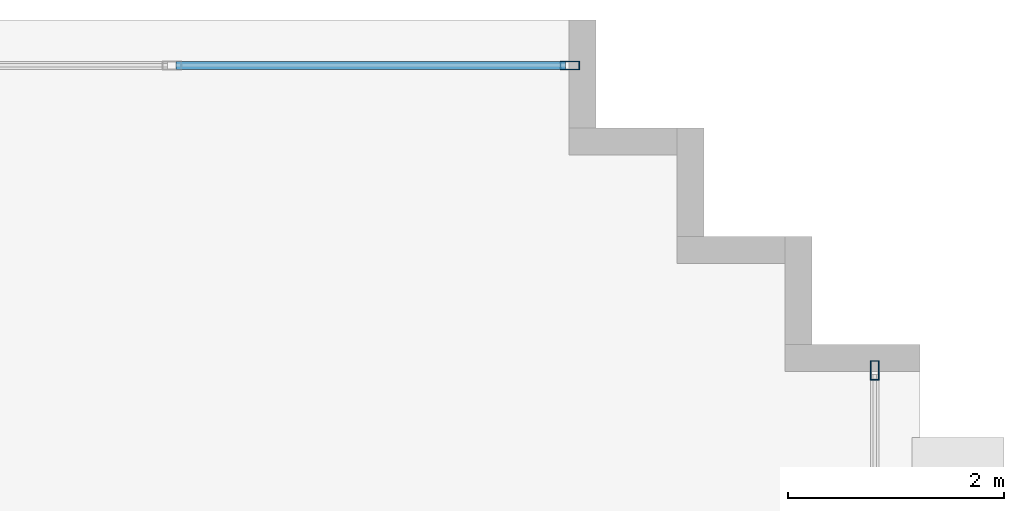
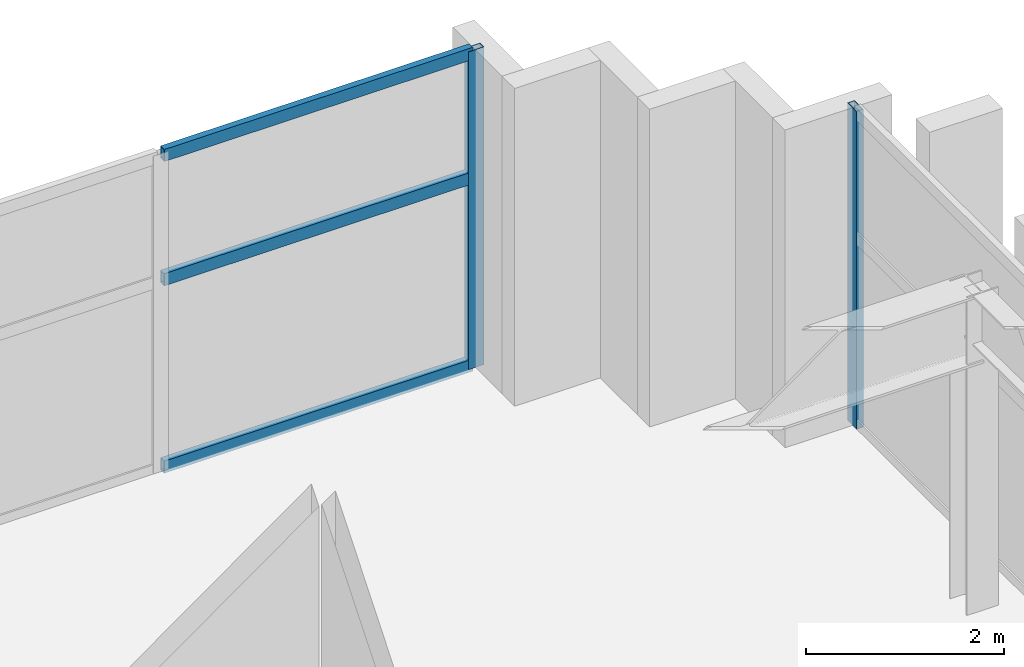
# One storey, part 9 of 14: 5 members, 2 elements without a shape of their own.
"""IFC4 building model written with IfcOpenShell, lengths in metres."""

from ifc_helpers import new_model, si_unit, direction, frame, origin, origin_2d, place, context, subcontext, project, spatial, hollow_rectangle, extrude, source, transform, mapped, material, layer, layer_set, material_profile, profile_set, type_object, element, aggregate, save


model = new_model("IFC4")

# Units and contexts
model_context = context("Model", 3, precision=1e-05, world=origin(), true_north=direction((0.0, 1.0)))
body_context = subcontext(model_context, "Body", "Model", "MODEL_VIEW")
ifc_project = project(units=[si_unit("LENGTHUNIT", "METRE"), si_unit("AREAUNIT", "SQUARE_METRE"), si_unit("VOLUMEUNIT", "CUBIC_METRE"), si_unit("PLANEANGLEUNIT", "RADIAN"), si_unit("MASSUNIT", "GRAM", prefix="KILO")], contexts=[model_context])

# Site, building, storey
site_placement = place(None, origin())
site = spatial("IfcSite", under=ifc_project, at=site_placement, CompositionType="ELEMENT")
building_placement = place(site_placement, origin())
building = spatial("IfcBuilding", under=site, at=building_placement, Name="Ocotamira Hotel", CompositionType="ELEMENT")
storey_placement = place(building_placement, frame((0.0, 0.0, 301.199951171875)))
storey = spatial("IfcBuildingStorey", under=building, at=storey_placement, Name="L77", CompositionType="ELEMENT", Elevation=301.199951171875)

# Curtain wall, members
ifc_material_1 = material(Name="Anodised pale-metal aluminium and solar glass", Category="aluminium")
ifc_layer = layer(ifc_material_1, 0.2099609375)
ifc_layer_set = layer_set([ifc_layer], Name="Anodised pale-metal aluminium and solar glass")
curtain_wall_type = type_object("IfcCurtainWallType", Name="CW-SYS7-PEAK", PredefinedType="NOTDEFINED", material=ifc_layer_set)
curtain_wall_1_placement = place(storey_placement, origin())
curtain_wall_1 = element("IfcCurtainWall", 1, at=curtain_wall_1_placement, inside=storey, type_object=curtain_wall_type, Name="L77 Curtain Wall CW-7 CW-L77-N", PredefinedType="NOTDEFINED")
ifc_material_2 = material(Name="Anodised pale-metal aluminium 6063-T6", Category="aluminium")
ifc_material_profile_1 = material_profile(ifc_material_2, hollow_rectangle(XDim=0.074951171875, YDim=0.14990234375, WallThickness=0.006103515625, at=origin_2d()), Name="HSS150X75X6")
ifc_profile_set_1 = profile_set([ifc_material_profile_1], Name="Anodised pale-metal aluminium 6063-T6")
member_type_1 = type_object("IfcMemberType", Name="CWT-150X75", PredefinedType="USERDEFINED", material=ifc_profile_set_1)
shared_shape_1 = source(origin(), body_context, "Body", "SweptSolid", [
    extrude(hollow_rectangle(XDim=0.074951171875, YDim=0.14990234375, WallThickness=0.006103515625, at=origin_2d()), origin(), (0.0, 0.0, 1.0), 3.599853515625),
])
member_1_placement = place(storey_placement, frame((26.1201171875, 43.580078125, 0.03759765625), z_axis=(1.0, 0.0, 0.0), x_axis=(0.0, 1.0, 0.0)))
member_1 = element("IfcMember", 2, at=member_1_placement, type_object=member_type_1, Name="CW-7 transom 5.1", ObjectType="TRANSOM", PredefinedType="USERDEFINED", context=body_context, shape_type="MappedRepresentation", body=[
    mapped(shared_shape_1, transform((0.0, 0.0, 0.0), scale=1.0)),
])
member_2_placement = place(storey_placement, frame((26.1201171875, 43.580078125, 2.35009765625), z_axis=(1.0, 0.0, 0.0), x_axis=(0.0, 1.0, 0.0)))
member_2 = element("IfcMember", 3, at=member_2_placement, type_object=member_type_1, Name="CW-7 transom 5.2", ObjectType="TRANSOM", PredefinedType="USERDEFINED", context=body_context, shape_type="MappedRepresentation", body=[
    mapped(shared_shape_1, transform((0.0, 0.0, 0.0), scale=1.0)),
])
member_3_placement = place(storey_placement, frame((26.1201171875, 43.580078125, 3.882568359375), z_axis=(1.0, 0.0, 0.0), x_axis=(0.0, 1.0, 0.0)))
member_3 = element("IfcMember", 4, at=member_3_placement, type_object=member_type_1, Name="CW-7 transom 5.3", ObjectType="TRANSOM", PredefinedType="USERDEFINED", context=body_context, shape_type="MappedRepresentation", body=[
    mapped(shared_shape_1, transform((0.0, 0.0, 0.0), scale=1.0)),
])
ifc_material_profile_2 = material_profile(ifc_material_2, hollow_rectangle(XDim=0.080078125, YDim=0.179931640625, WallThickness=0.006103515625, at=origin_2d()), Name="HSS180X80X6")
ifc_profile_set_2 = profile_set([ifc_material_profile_2], Name="Anodised pale-metal aluminium 6063-T6")
member_type_2 = type_object("IfcMemberType", Name="CWM-180X75", PredefinedType="MULLION", material=ifc_profile_set_2)
shared_shape_2 = source(origin(), body_context, "Body", "SweptSolid", [
    extrude(hollow_rectangle(XDim=0.080078125, YDim=0.179931640625, WallThickness=0.006103515625, at=origin_2d()), origin(), (0.0, 0.0, 1.0), 3.920166015625),
])
member_4_placement = place(storey_placement, frame((29.760009765625, 43.580078125, 0.0), z_axis=(0.0, 0.0, 1.0), x_axis=(0.0, 1.0, 0.0)))
member_4 = element("IfcMember", 5, at=member_4_placement, type_object=member_type_2, Name="CW-7 mullion 6", PredefinedType="MULLION", context=body_context, shape_type="MappedRepresentation", body=[
    mapped(shared_shape_2, transform((0.0, 0.0, 0.0), scale=1.0)),
])
aggregate(curtain_wall_1, [member_4, member_1, member_2, member_3])

# Curtain wall, member
curtain_wall_2_placement = place(storey_placement, origin())
curtain_wall_2 = element("IfcCurtainWall", 6, at=curtain_wall_2_placement, inside=storey, type_object=curtain_wall_type, Name="L77 Curtain Wall CW-7 CW-L77-E2", PredefinedType="NOTDEFINED")
member_5_placement = place(storey_placement, frame((32.580078125, 40.760009765625, 0.0), z_axis=(0.0, 0.0, 1.0), x_axis=(-1.0, 0.0, 0.0)))
member_5 = element("IfcMember", 7, at=member_5_placement, type_object=member_type_2, Name="CW-7 mullion 4", PredefinedType="MULLION", context=body_context, shape_type="MappedRepresentation", body=[
    mapped(shared_shape_2, transform((0.0, 0.0, 0.0), scale=1.0)),
])
aggregate(curtain_wall_2, [member_5])

save(model, "model.ifc")
